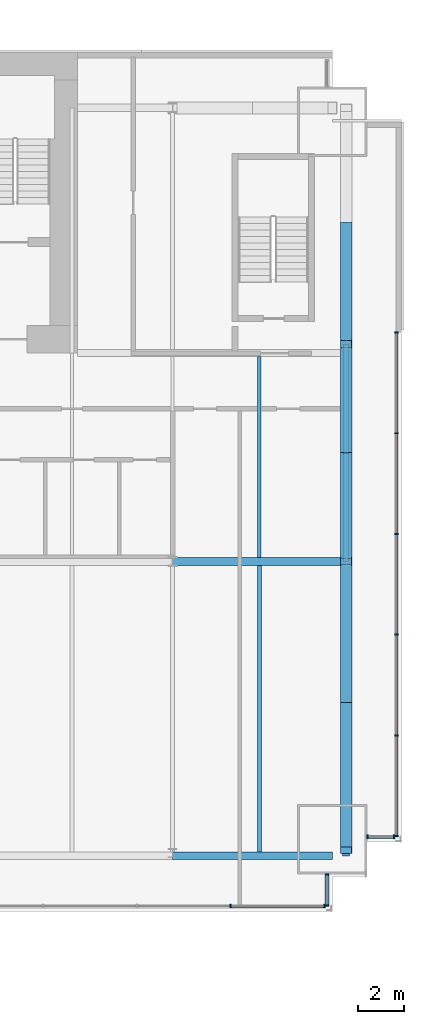
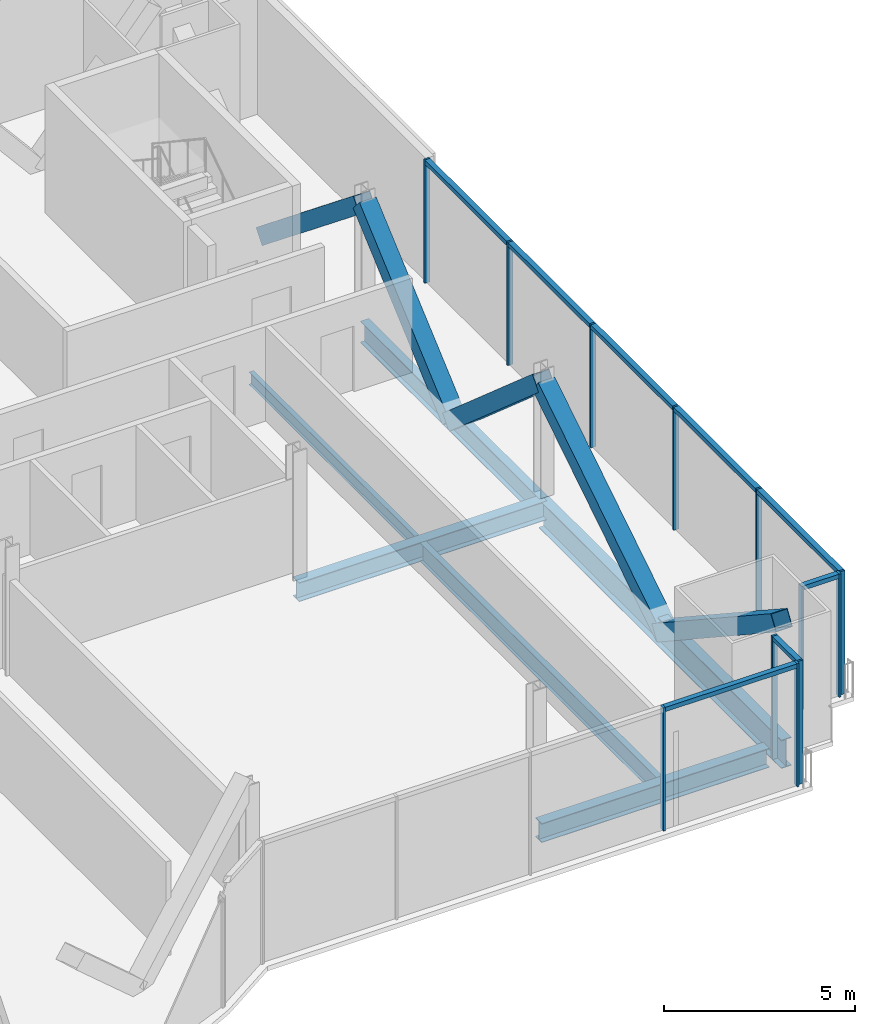
# One storey, part 12 of 21: 25 members, 6 beams, 4 elements without a shape of their own.
"""IFC4 building model written with IfcOpenShell, lengths in metres."""

from ifc_helpers import new_model, si_unit, direction, frame, origin, origin_2d, place, context, subcontext, project, spatial, rectangle, hollow_rectangle, i_section, extrude, material, material_profile, profile_set, type_object, element, aggregate, save


model = new_model("IFC4")

# Units and contexts
model_context = context("Model", 3, precision=1e-05, world=origin(), true_north=direction((0.0, 1.0)))
body_context = subcontext(model_context, "Body", "Model", "MODEL_VIEW")
ifc_project = project(units=[si_unit("LENGTHUNIT", "METRE"), si_unit("AREAUNIT", "SQUARE_METRE"), si_unit("VOLUMEUNIT", "CUBIC_METRE"), si_unit("PLANEANGLEUNIT", "RADIAN"), si_unit("MASSUNIT", "GRAM", prefix="KILO")], contexts=[model_context])

# Site, building, storey
site_placement = place(None, origin())
site = spatial("IfcSite", under=ifc_project, at=site_placement, CompositionType="ELEMENT")
building_placement = place(site_placement, origin())
building = spatial("IfcBuilding", under=site, at=building_placement, Name="Bicima Exchange Tower", CompositionType="ELEMENT")
storey_placement = place(building_placement, frame((0.0, 0.0, 122.699951171875)))
storey = spatial("IfcBuildingStorey", under=building, at=storey_placement, Name="L26", CompositionType="ELEMENT", Elevation=122.699951171875)

# Curtain wall, members
ifc_material_1 = material(Name="Anodised bronze aluminium", Category="aluminium")
curtain_wall_type_1 = type_object("IfcCurtainWallType", Name="End face glass wall", PredefinedType="NOTDEFINED", material=ifc_material_1)
curtain_wall_1_placement = place(storey_placement, origin())
curtain_wall_1 = element("IfcCurtainWall", 1, at=curtain_wall_1_placement, inside=storey, type_object=curtain_wall_type_1, Name="End face glass wall L26 run 19", PredefinedType="NOTDEFINED")
ifc_material_profile_1 = material_profile(ifc_material_1, rectangle(XDim=0.159912109375, YDim=0.06005859375, at=origin_2d()))
ifc_profile_set_1 = profile_set([ifc_material_profile_1], Name="Anodised bronze aluminium")
member_type_1 = type_object("IfcMemberType", Name="End face glass wall mullion 60 x 160", PredefinedType="MULLION", material=ifc_profile_set_1)
member_1_placement = place(storey_placement, frame((35.77001953125, -33.860107421875, 0.0), z_axis=(0.0, 0.0, 1.0), x_axis=(-1.0, 0.0, 0.0)))
member_1 = element("IfcMember", 2, at=member_1_placement, type_object=member_type_1, Name="End face glass wall mullion 1", PredefinedType="MULLION", context=body_context, shape_type="SweptSolid", body=[
    extrude(rectangle(XDim=0.159912109375, YDim=0.06005859375, at=origin_2d()), origin(), (0.0, 0.0, 1.0), 3.949951171875),
])
member_2_placement = place(storey_placement, frame((35.77001953125, -29.510009765625, 0.0), z_axis=(0.0, 0.0, 1.0), x_axis=(-1.0, 0.0, 0.0)))
member_2 = element("IfcMember", 3, at=member_2_placement, type_object=member_type_1, Name="End face glass wall mullion 2", PredefinedType="MULLION", context=body_context, shape_type="SweptSolid", body=[
    extrude(rectangle(XDim=0.159912109375, YDim=0.06005859375, at=origin_2d()), origin(), (0.0, 0.0, 1.0), 3.949951171875),
])
member_3_placement = place(storey_placement, frame((35.77001953125, -25.159912109375, 0.0), z_axis=(0.0, 0.0, 1.0), x_axis=(-1.0, 0.0, 0.0)))
member_3 = element("IfcMember", 4, at=member_3_placement, type_object=member_type_1, Name="End face glass wall mullion 3", PredefinedType="MULLION", context=body_context, shape_type="SweptSolid", body=[
    extrude(rectangle(XDim=0.159912109375, YDim=0.06005859375, at=origin_2d()), origin(), (0.0, 0.0, 1.0), 3.949951171875),
])
member_4_placement = place(storey_placement, frame((35.77001953125, -20.81005859375, 0.0), z_axis=(0.0, 0.0, 1.0), x_axis=(-1.0, 0.0, 0.0)))
member_4 = element("IfcMember", 5, at=member_4_placement, type_object=member_type_1, Name="End face glass wall mullion 4", PredefinedType="MULLION", context=body_context, shape_type="SweptSolid", body=[
    extrude(rectangle(XDim=0.159912109375, YDim=0.06005859375, at=origin_2d()), origin(), (0.0, 0.0, 1.0), 3.949951171875),
])
member_5_placement = place(storey_placement, frame((35.77001953125, -16.4599609375, 0.0), z_axis=(0.0, 0.0, 1.0), x_axis=(-1.0, 0.0, 0.0)))
member_5 = element("IfcMember", 6, at=member_5_placement, type_object=member_type_1, Name="End face glass wall mullion 5", PredefinedType="MULLION", context=body_context, shape_type="SweptSolid", body=[
    extrude(rectangle(XDim=0.159912109375, YDim=0.06005859375, at=origin_2d()), origin(), (0.0, 0.0, 1.0), 3.949951171875),
])
member_6_placement = place(storey_placement, frame((35.77001953125, -12.110107421875, 0.0), z_axis=(0.0, 0.0, 1.0), x_axis=(-1.0, 0.0, 0.0)))
member_6 = element("IfcMember", 7, at=member_6_placement, type_object=member_type_1, Name="End face glass wall mullion 6", PredefinedType="MULLION", context=body_context, shape_type="SweptSolid", body=[
    extrude(rectangle(XDim=0.159912109375, YDim=0.06005859375, at=origin_2d()), origin(), (0.0, 0.0, 1.0), 3.949951171875),
])
ifc_material_profile_2 = material_profile(ifc_material_1, rectangle(XDim=0.159912109375, YDim=0.139892578125, at=origin_2d()))
ifc_profile_set_2 = profile_set([ifc_material_profile_2], Name="Anodised bronze aluminium")
member_type_2 = type_object("IfcMemberType", Name="End face glass wall transom 140 x 160", PredefinedType="USERDEFINED", material=ifc_profile_set_2)
member_7_placement = place(storey_placement, frame((35.77001953125, -33.830078125, 3.880126953125), z_axis=(0.0, 1.0, 0.0), x_axis=(-1.0, 0.0, 0.0)))
member_7 = element("IfcMember", 8, at=member_7_placement, type_object=member_type_2, Name="End face glass wall transom 1.1", ObjectType="TRANSOM", PredefinedType="USERDEFINED", context=body_context, shape_type="SweptSolid", body=[
    extrude(rectangle(XDim=0.159912109375, YDim=0.139892578125, at=origin_2d()), origin(), (0.0, 0.0, 1.0), 4.2900390625),
])
member_8_placement = place(storey_placement, frame((35.77001953125, -29.47998046875, 3.880126953125), z_axis=(0.0, 1.0, 0.0), x_axis=(-1.0, 0.0, 0.0)))
member_8 = element("IfcMember", 9, at=member_8_placement, type_object=member_type_2, Name="End face glass wall transom 2.1", ObjectType="TRANSOM", PredefinedType="USERDEFINED", context=body_context, shape_type="SweptSolid", body=[
    extrude(rectangle(XDim=0.159912109375, YDim=0.139892578125, at=origin_2d()), origin(), (0.0, 0.0, 1.0), 4.2900390625),
])
member_9_placement = place(storey_placement, frame((35.77001953125, -25.1298828125, 3.880126953125), z_axis=(0.0, 1.0, 0.0), x_axis=(-1.0, 0.0, 0.0)))
member_9 = element("IfcMember", 10, at=member_9_placement, type_object=member_type_2, Name="End face glass wall transom 3.1", ObjectType="TRANSOM", PredefinedType="USERDEFINED", context=body_context, shape_type="SweptSolid", body=[
    extrude(rectangle(XDim=0.159912109375, YDim=0.139892578125, at=origin_2d()), origin(), (0.0, 0.0, 1.0), 4.289794921875),
])
member_10_placement = place(storey_placement, frame((35.77001953125, -20.780029296875, 3.880126953125), z_axis=(0.0, 1.0, 0.0), x_axis=(-1.0, 0.0, 0.0)))
member_10 = element("IfcMember", 11, at=member_10_placement, type_object=member_type_2, Name="End face glass wall transom 4.1", ObjectType="TRANSOM", PredefinedType="USERDEFINED", context=body_context, shape_type="SweptSolid", body=[
    extrude(rectangle(XDim=0.159912109375, YDim=0.139892578125, at=origin_2d()), origin(), (0.0, 0.0, 1.0), 4.2900390625),
])
member_11_placement = place(storey_placement, frame((35.77001953125, -16.429931640625, 3.880126953125), z_axis=(0.0, 1.0, 0.0), x_axis=(-1.0, 0.0, 0.0)))
member_11 = element("IfcMember", 12, at=member_11_placement, type_object=member_type_2, Name="End face glass wall transom 5.1", ObjectType="TRANSOM", PredefinedType="USERDEFINED", context=body_context, shape_type="SweptSolid", body=[
    extrude(rectangle(XDim=0.159912109375, YDim=0.139892578125, at=origin_2d()), origin(), (0.0, 0.0, 1.0), 4.2900390625),
])
aggregate(curtain_wall_1, [member_1, member_2, member_3, member_4, member_5, member_6, member_7, member_8, member_9, member_10, member_11])

# Beams
ifc_material_2 = material(Name="Steel ASTM A992 Gr 50", Category="steel")
ifc_material_profile_3 = material_profile(ifc_material_2, i_section(OverallWidth=0.256591796875, OverallDepth=0.693359375, WebThickness=0.014404296875, FlangeThickness=0.023681640625, at=origin_2d()))
ifc_profile_set_3 = profile_set([ifc_material_profile_3], Name="Steel ASTM A992 Gr 50")
beam_type_1 = type_object("IfcBeamType", Name="End girder W27x114", PredefinedType="BEAM", material=ifc_profile_set_3)
beam_1_placement = place(storey_placement, frame((33.60009765625, -12.60009765625, -0.49658203125), z_axis=(0.0, -1.0, 0.0), x_axis=(1.0, 0.0, 0.0)))
element("IfcBeam", 13, at=beam_1_placement, inside=storey, type_object=beam_type_1, Name="End girder", PredefinedType="BEAM", context=body_context, shape_type="SweptSolid", body=[
    extrude(i_section(OverallWidth=0.256591796875, OverallDepth=0.693359375, WebThickness=0.014404296875, FlangeThickness=0.023681640625, at=origin_2d()), origin(), (0.0, 0.0, 1.0), 9.39990234375),
])
ifc_material_profile_4 = material_profile(ifc_material_2, i_section(OverallWidth=0.3046875, OverallDepth=0.911865234375, WebThickness=0.015869140625, FlangeThickness=0.02392578125, at=origin_2d()))
ifc_profile_set_4 = profile_set([ifc_material_profile_4], Name="Steel ASTM A992 Gr 50")
beam_type_2 = type_object("IfcBeamType", Name="End girder W36x150", PredefinedType="BEAM", material=ifc_profile_set_4)
beam_2_placement = place(storey_placement, frame((33.60009765625, -22.0, -0.60595703125), z_axis=(0.0, -1.0, 0.0), x_axis=(1.0, 0.0, 0.0)))
element("IfcBeam", 14, at=beam_2_placement, inside=storey, type_object=beam_type_2, Name="End girder", PredefinedType="BEAM", context=body_context, shape_type="SweptSolid", body=[
    extrude(i_section(OverallWidth=0.3046875, OverallDepth=0.911865234375, WebThickness=0.015869140625, FlangeThickness=0.02392578125, at=origin_2d()), origin(), (0.0, 0.0, 1.0), 12.719970703125),
])
ifc_material_profile_5 = material_profile(ifc_material_2, i_section(OverallWidth=0.140380859375, OverallDepth=0.40380859375, WebThickness=0.007080078125, FlangeThickness=0.01123046875, at=origin_2d()))
ifc_profile_set_5 = profile_set([ifc_material_profile_5], Name="Steel ASTM A992 Gr 50")
beam_type_3 = type_object("IfcBeamType", Name="Floor beam W16x31", PredefinedType="JOIST", material=ifc_profile_set_5)
beam_3_placement = place(storey_placement, frame((29.85009765625, -13.15234375, -0.351806640625), z_axis=(0.0, -1.0, 0.0), x_axis=(1.0, 0.0, 0.0)))
element("IfcBeam", 15, at=beam_3_placement, inside=storey, type_object=beam_type_3, Name="Floor beam", PredefinedType="JOIST", context=body_context, shape_type="SweptSolid", body=[
    extrude(i_section(OverallWidth=0.140380859375, OverallDepth=0.40380859375, WebThickness=0.007080078125, FlangeThickness=0.01123046875, at=origin_2d()), origin(), (0.0, 0.0, 1.0), 8.68505859375),
])
ifc_material_profile_6 = material_profile(ifc_material_2, i_section(OverallWidth=0.177978515625, OverallDepth=0.599365234375, WebThickness=0.010009765625, FlangeThickness=0.012939453125, at=origin_2d()))
ifc_profile_set_6 = profile_set([ifc_material_profile_6], Name="Steel ASTM A992 Gr 50")
beam_type_4 = type_object("IfcBeamType", Name="Floor beam W24x55", PredefinedType="JOIST", material=ifc_profile_set_6)
beam_4_placement = place(storey_placement, frame((29.85009765625, -22.16259765625, -0.44970703125), z_axis=(0.0, -1.0, 0.0), x_axis=(1.0, 0.0, 0.0)))
element("IfcBeam", 16, at=beam_4_placement, inside=storey, type_object=beam_type_4, Name="Floor beam", PredefinedType="JOIST", context=body_context, shape_type="SweptSolid", body=[
    extrude(i_section(OverallWidth=0.177978515625, OverallDepth=0.599365234375, WebThickness=0.010009765625, FlangeThickness=0.012939453125, at=origin_2d()), origin(), (0.0, 0.0, 1.0), 12.394775390625),
])
ifc_material_profile_7 = material_profile(ifc_material_2, i_section(OverallWidth=0.3251953125, OverallDepth=0.612060546875, WebThickness=0.0126953125, FlangeThickness=0.01904296875, at=origin_2d()))
ifc_profile_set_7 = profile_set([ifc_material_profile_7], Name="Steel ASTM A992 Gr 50")
beam_type_5 = type_object("IfcBeamType", Name="Front girder W24x104", PredefinedType="BEAM", material=ifc_profile_set_7)
beam_5_placement = place(storey_placement, frame((26.10009765625, -34.719970703125, -0.4560546875), z_axis=(1.0, 0.0, 0.0), x_axis=(0.0, 1.0, 0.0)))
element("IfcBeam", 17, at=beam_5_placement, inside=storey, type_object=beam_type_5, Name="Front girder", PredefinedType="BEAM", context=body_context, shape_type="SweptSolid", body=[
    extrude(i_section(OverallWidth=0.3251953125, OverallDepth=0.612060546875, WebThickness=0.0126953125, FlangeThickness=0.01904296875, at=origin_2d()), origin(), (0.0, 0.0, 1.0), 6.89990234375),
])

# Curtain wall, members
curtain_wall_type_2 = type_object("IfcCurtainWallType", Name="Front glass wall", PredefinedType="NOTDEFINED", material=ifc_material_1)
curtain_wall_2_placement = place(storey_placement, origin())
curtain_wall_2 = element("IfcCurtainWall", 18, at=curtain_wall_2_placement, inside=storey, type_object=curtain_wall_type_2, Name="Front glass wall L26 run 16", PredefinedType="NOTDEFINED")
member_type_3 = type_object("IfcMemberType", Name="Front glass wall mullion 60 x 160", PredefinedType="MULLION", material=ifc_profile_set_1)
member_12_placement = place(storey_placement, frame((28.610595703125, -36.889892578125, 0.0), z_axis=(0.0, 0.0, 1.0), x_axis=(0.0, 1.0, 0.0)))
member_12 = element("IfcMember", 19, at=member_12_placement, type_object=member_type_3, Name="Front glass wall mullion 4", PredefinedType="MULLION", context=body_context, shape_type="SweptSolid", body=[
    extrude(rectangle(XDim=0.159912109375, YDim=0.06005859375, at=origin_2d()), origin(), (0.0, 0.0, 1.0), 3.949951171875),
])
member_13_placement = place(storey_placement, frame((32.659912109375, -36.889892578125, 0.0), z_axis=(0.0, 0.0, 1.0), x_axis=(0.0, 1.0, 0.0)))
member_13 = element("IfcMember", 20, at=member_13_placement, type_object=member_type_3, Name="Front glass wall mullion 5", PredefinedType="MULLION", context=body_context, shape_type="SweptSolid", body=[
    extrude(rectangle(XDim=0.159912109375, YDim=0.06005859375, at=origin_2d()), origin(), (0.0, 0.0, 1.0), 3.949951171875),
])

curtain_wall_3_placement = place(storey_placement, origin())
curtain_wall_3 = element("IfcCurtainWall", 21, at=curtain_wall_3_placement, inside=storey, type_object=curtain_wall_type_2, Name="Front glass wall L26 run 17", PredefinedType="NOTDEFINED")
member_14_placement = place(storey_placement, frame((32.77001953125, -36.860107421875, 0.0), z_axis=(0.0, 0.0, 1.0), x_axis=(-1.0, 0.0, 0.0)))
member_14 = element("IfcMember", 22, at=member_14_placement, type_object=member_type_3, Name="Front glass wall mullion 1", PredefinedType="MULLION", context=body_context, shape_type="SweptSolid", body=[
    extrude(rectangle(XDim=0.159912109375, YDim=0.06005859375, at=origin_2d()), origin(), (0.0, 0.0, 1.0), 3.949951171875),
])
member_15_placement = place(storey_placement, frame((32.77001953125, -35.528076171875, 0.0), z_axis=(0.0, 0.0, 1.0), x_axis=(-1.0, 0.0, 0.0)))
member_15 = element("IfcMember", 23, at=member_15_placement, type_object=member_type_3, Name="Front glass wall mullion 2", PredefinedType="MULLION", context=body_context, shape_type="SweptSolid", body=[
    extrude(rectangle(XDim=0.159912109375, YDim=0.06005859375, at=origin_2d()), origin(), (0.0, 0.0, 1.0), 3.949951171875),
])

curtain_wall_4_placement = place(storey_placement, origin())
curtain_wall_4 = element("IfcCurtainWall", 24, at=curtain_wall_4_placement, inside=storey, type_object=curtain_wall_type_2, Name="Front glass wall L26 run 18", PredefinedType="NOTDEFINED")
member_16_placement = place(storey_placement, frame((34.530029296875, -33.889892578125, 0.0), z_axis=(0.0, 0.0, 1.0), x_axis=(0.0, 1.0, 0.0)))
member_16 = element("IfcMember", 25, at=member_16_placement, type_object=member_type_3, Name="Front glass wall mullion 1", PredefinedType="MULLION", context=body_context, shape_type="SweptSolid", body=[
    extrude(rectangle(XDim=0.159912109375, YDim=0.06005859375, at=origin_2d()), origin(), (0.0, 0.0, 1.0), 3.949951171875),
])
member_17_placement = place(storey_placement, frame((35.659912109375, -33.889892578125, 0.0), z_axis=(0.0, 0.0, 1.0), x_axis=(0.0, 1.0, 0.0)))
member_17 = element("IfcMember", 26, at=member_17_placement, type_object=member_type_3, Name="Front glass wall mullion 2", PredefinedType="MULLION", context=body_context, shape_type="SweptSolid", body=[
    extrude(rectangle(XDim=0.159912109375, YDim=0.06005859375, at=origin_2d()), origin(), (0.0, 0.0, 1.0), 3.949951171875),
])

# Member
member_type_4 = type_object("IfcMemberType", Name="Front glass wall transom 140 x 160", PredefinedType="USERDEFINED", material=ifc_profile_set_2)
member_18_placement = place(storey_placement, frame((28.640380859375, -36.889892578125, 3.880126953125), z_axis=(1.0, 0.0, 0.0), x_axis=(0.0, 1.0, 0.0)))
member_18 = element("IfcMember", 27, at=member_18_placement, type_object=member_type_4, Name="Front glass wall transom 4.1", ObjectType="TRANSOM", PredefinedType="USERDEFINED", context=body_context, shape_type="SweptSolid", body=[
    extrude(rectangle(XDim=0.159912109375, YDim=0.139892578125, at=origin_2d()), origin(), (0.0, 0.0, 1.0), 3.989501953125),
])

aggregate(curtain_wall_2, [member_12, member_13, member_18])

member_19_placement = place(storey_placement, frame((32.77001953125, -36.830078125, 3.880126953125), z_axis=(0.0, 1.0, 0.0), x_axis=(-1.0, 0.0, 0.0)))
member_19 = element("IfcMember", 28, at=member_19_placement, type_object=member_type_4, Name="Front glass wall transom 1.1", ObjectType="TRANSOM", PredefinedType="USERDEFINED", context=body_context, shape_type="SweptSolid", body=[
    extrude(rectangle(XDim=0.159912109375, YDim=0.139892578125, at=origin_2d()), origin(), (0.0, 0.0, 1.0), 1.27197265625),
])

aggregate(curtain_wall_3, [member_14, member_15, member_19])

member_20_placement = place(storey_placement, frame((34.56005859375, -33.889892578125, 3.880126953125), z_axis=(1.0, 0.0, 0.0), x_axis=(0.0, 1.0, 0.0)))
member_20 = element("IfcMember", 29, at=member_20_placement, type_object=member_type_4, Name="Front glass wall transom 1.1", ObjectType="TRANSOM", PredefinedType="USERDEFINED", context=body_context, shape_type="SweptSolid", body=[
    extrude(rectangle(XDim=0.159912109375, YDim=0.139892578125, at=origin_2d()), origin(), (0.0, 0.0, 1.0), 1.06982421875),
])

aggregate(curtain_wall_4, [member_16, member_17, member_20])

# Members
ifc_material_3 = material(Name="Steel ASTM A572 Gr 50", Category="steel")
ifc_material_profile_8 = material_profile(ifc_material_3, hollow_rectangle(XDim=0.508056640625, YDim=0.508056640625, WallThickness=0.0146484375, at=origin_2d()))
ifc_profile_set_8 = profile_set([ifc_material_profile_8], Name="Steel ASTM A572 Gr 50")
member_type_5 = type_object("IfcMemberType", Name="Mega brace HSS20x20x5/8", PredefinedType="BRACE", material=ifc_profile_set_8)
member_21_placement = place(storey_placement, frame((33.60009765625, -7.5, -0.49658203125), z_axis=(0.0, -0.779392460608, 0.626536026376), x_axis=(1.0, 0.0, 0.0)))
element("IfcMember", 30, at=member_21_placement, inside=storey, type_object=member_type_5, Name="Mega brace east end", PredefinedType="BRACE", context=body_context, shape_type="SweptSolid", body=[
    extrude(hollow_rectangle(XDim=0.508056640625, YDim=0.508056640625, WallThickness=0.0146484375, at=origin_2d()), origin(), (0.0, 0.0, 1.0), 6.543701171875),
])
for number, where, z_axis, x_axis, name in (
    (31, (33.60009765625, -17.300048828125, -0.49658203125), (0.0, -0.753577308711, 0.657359292774), (1.0, 0.0, 0.0), "Mega brace east end"),
    (32, (33.60009765625, -17.300048828125, -0.49658203125), (0.0, 0.753577308711, 0.657359292774), (-1.0, 0.0, 0.0), "Mega brace east end"),
):
    element("IfcMember", number, at=place(storey_placement, frame(where, z_axis=z_axis, x_axis=x_axis)), inside=storey, type_object=member_type_5, Name=name, PredefinedType="BRACE", context=body_context, shape_type="SweptSolid", body=[
        extrude(hollow_rectangle(XDim=0.508056640625, YDim=0.508056640625, WallThickness=0.0146484375, at=origin_2d()), origin(), (0.0, 0.0, 1.0), 6.23681640625),
    ])
member_22_placement = place(storey_placement, frame((33.60009765625, -28.238037109375, -0.60595703125), z_axis=(0.0, -0.835655299365, 0.549254240442), x_axis=(1.0, 0.0, 0.0)))
element("IfcMember", 33, at=member_22_placement, inside=storey, type_object=member_type_5, Name="Mega brace east end", PredefinedType="BRACE", context=body_context, shape_type="SweptSolid", body=[
    extrude(hollow_rectangle(XDim=0.508056640625, YDim=0.508056640625, WallThickness=0.0146484375, at=origin_2d()), origin(), (0.0, 0.0, 1.0), 7.46484375),
])
member_23_placement = place(storey_placement, frame((33.60009765625, -28.48193359375, -0.60595703125), z_axis=(0.0, 0.845121098414, 0.534574904963), x_axis=(-1.0, 0.0, 0.0)))
element("IfcMember", 34, at=member_23_placement, inside=storey, type_object=member_type_5, Name="Mega brace east end", PredefinedType="BRACE", context=body_context, shape_type="SweptSolid", body=[
    extrude(hollow_rectangle(XDim=0.508056640625, YDim=0.508056640625, WallThickness=0.0146484375, at=origin_2d()), origin(), (0.0, 0.0, 1.0), 7.669921875),
])

# Beam
beam_type_6 = type_object("IfcBeamType", Name="Row girder W24x104", PredefinedType="BEAM", material=ifc_profile_set_7)
beam_6_placement = place(storey_placement, frame((26.10009765625, -22.0, -0.4560546875), z_axis=(1.0, 0.0, 0.0), x_axis=(0.0, 1.0, 0.0)))
element("IfcBeam", 35, at=beam_6_placement, inside=storey, type_object=beam_type_6, Name="Row girder", PredefinedType="BEAM", context=body_context, shape_type="SweptSolid", body=[
    extrude(i_section(OverallWidth=0.3251953125, OverallDepth=0.612060546875, WebThickness=0.0126953125, FlangeThickness=0.01904296875, at=origin_2d()), origin(), (0.0, 0.0, 1.0), 7.5),
])

save(model, "model.ifc")
